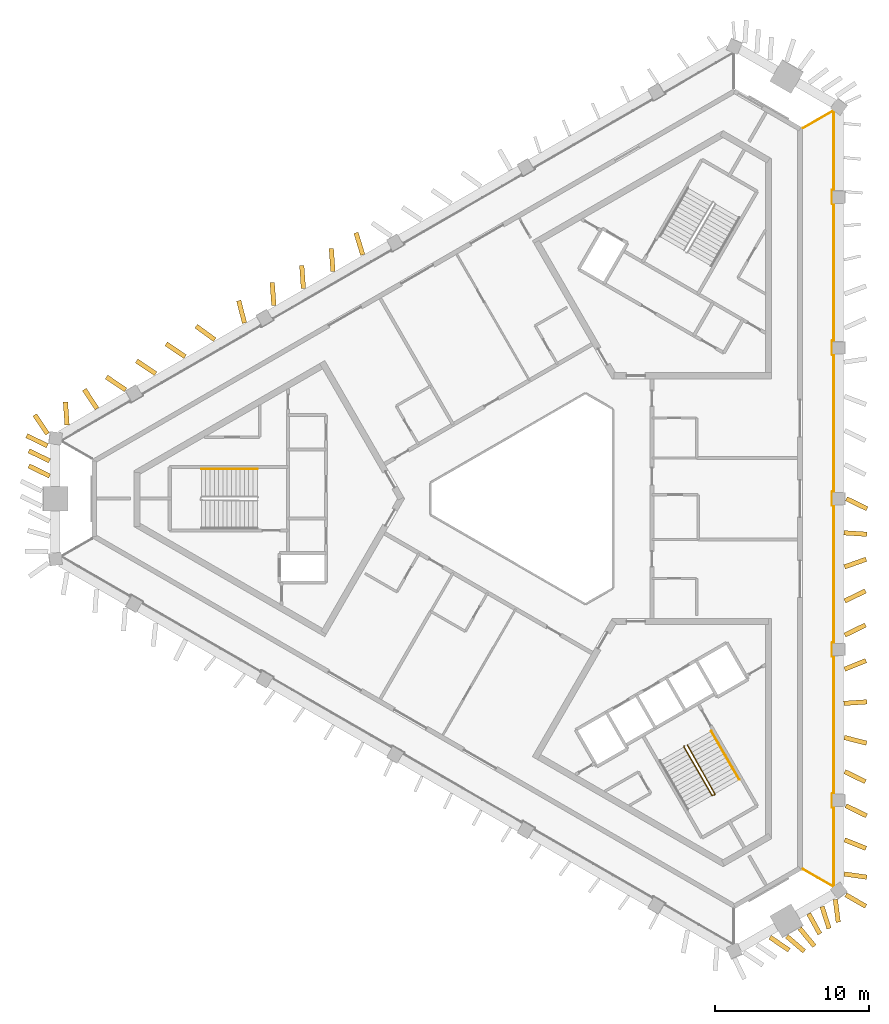
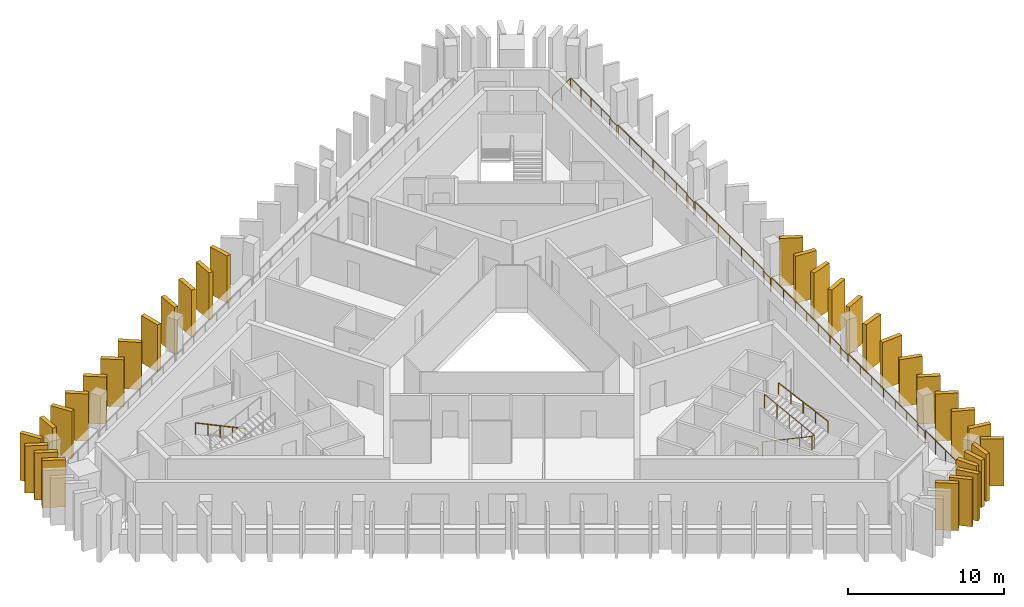
# One storey, part 8 of 10: 34 shading devices, 4 railings.
"""IFC4 building model written with IfcOpenShell, lengths in metres."""

from ifc_helpers import new_model, si_unit, direction, frame, frame_2d, origin, origin_2d, place, context, subcontext, project, spatial, rectangle, circle, extrude, material, layer, layer_set, type_object, element, save


model = new_model("IFC4")

# Units and contexts
model_context = context("Model", 3, precision=1e-05, world=origin(), true_north=direction((0.0, 1.0)))
body_context = subcontext(model_context, "Body", "Model", "MODEL_VIEW")
ifc_project = project(units=[si_unit("LENGTHUNIT", "METRE"), si_unit("AREAUNIT", "SQUARE_METRE"), si_unit("VOLUMEUNIT", "CUBIC_METRE"), si_unit("PLANEANGLEUNIT", "RADIAN"), si_unit("MASSUNIT", "GRAM", prefix="KILO")], contexts=[model_context])

# Site, building, storey
site_placement = place(None, origin())
site = spatial("IfcSite", under=ifc_project, at=site_placement, CompositionType="ELEMENT")
building_placement = place(site_placement, origin())
building = spatial("IfcBuilding", under=site, at=building_placement, Name="Jabali Bay Hotel Tower and Convention Centre", CompositionType="ELEMENT")
storey_placement = place(building_placement, frame((0.0, 0.0, 266.39990234375)))
storey = spatial("IfcBuildingStorey", under=building, at=storey_placement, Name="L65", CompositionType="ELEMENT", Elevation=266.39990234375)

# Railing
ifc_material_1 = material(Name="Glass", Category="glass")
railing_type_1 = type_object("IfcRailingType", Name="Loggia glass guard 1100", PredefinedType="BALUSTRADE", material=ifc_material_1)
railing_1_placement = place(storey_placement, frame((91.92724609375, 104.109619140625, 0.0)))
element("IfcRailing", 1, at=railing_1_placement, inside=storey, type_object=railing_type_1, Name="Loggia glass guard L65", PredefinedType="BALUSTRADE", context=body_context, shape_type="SweptSolid", body=[
    extrude(circle(Radius=0.02490234375, at=origin_2d()), frame((0.0, 0.0, 1.0751953125), z_axis=(0.866035472144, 0.499982560684, 0.0), x_axis=(-0.495705140567, 0.858626418625, 0.13052619222)), (0.0, 0.0, 1.0), 2.27490234375),
    extrude(circle(Radius=0.02490234375, at=origin_2d()), frame((1.97021484375, 1.137451171875, 1.0751953125), z_axis=(0.798426583615, -0.602092177808, 0.0), x_axis=(0.596941195761, 0.791595933509, 0.13052619222)), (0.0, 0.0, 1.0), 0.037353515625),
    extrude(circle(Radius=0.02490234375, at=origin_2d()), frame((2.0, 1.114990234375, 1.0751953125), z_axis=(0.0, -1.0, 0.0), x_axis=(0.991444861374, 0.0, 0.13052619222)), (0.0, 0.0, 1.0), 5.13671875),
    extrude(circle(Radius=0.02490234375, at=origin_2d()), frame((2.0, -4.021728515625, 1.0751953125), z_axis=(-1.0, 0.0, 0.0), x_axis=(0.0, -0.991444861374, 0.13052619222)), (0.0, 0.0, 1.0), 0.099853515625),
    extrude(circle(Radius=0.02490234375, at=origin_2d()), frame((1.900146484375, -4.021728515625, 1.0751953125), z_axis=(0.0, -1.0, 0.0), x_axis=(0.991444861374, 0.0, 0.13052619222)), (0.0, 0.0, 1.0), 0.900146484375),
    extrude(circle(Radius=0.02490234375, at=origin_2d()), frame((1.900146484375, -4.921875, 1.0751953125), z_axis=(1.0, 0.0, 0.0), x_axis=(0.0, 0.991444861374, 0.13052619222)), (0.0, 0.0, 1.0), 0.099853515625),
    extrude(circle(Radius=0.02490234375, at=origin_2d()), frame((2.0, -4.921875, 1.0751953125), z_axis=(0.0, -1.0, 0.0), x_axis=(0.991444861374, 0.0, 0.13052619222)), (0.0, 0.0, 1.0), 8.9189453125),
    extrude(circle(Radius=0.02490234375, at=origin_2d()), frame((2.0, -13.8408203125, 1.0751953125), z_axis=(-1.0, 0.0, 0.0), x_axis=(0.0, -0.991444861374, 0.13052619222)), (0.0, 0.0, 1.0), 0.099853515625),
    extrude(circle(Radius=0.02490234375, at=origin_2d()), frame((1.900146484375, -13.8408203125, 1.0751953125), z_axis=(0.0, -1.0, 0.0), x_axis=(0.991444861374, 0.0, 0.13052619222)), (0.0, 0.0, 1.0), 0.89990234375),
    extrude(circle(Radius=0.02490234375, at=origin_2d()), frame((1.900146484375, -14.74072265625, 1.0751953125), z_axis=(1.0, 0.0, 0.0), x_axis=(0.0, 0.991444861374, 0.13052619222)), (0.0, 0.0, 1.0), 0.099853515625),
    extrude(circle(Radius=0.02490234375, at=origin_2d()), frame((2.0, -14.74072265625, 1.0751953125), z_axis=(0.0, -1.0, 0.0), x_axis=(0.991444861374, 0.0, 0.13052619222)), (0.0, 0.0, 1.0), 8.9189453125),
    extrude(circle(Radius=0.02490234375, at=origin_2d()), frame((2.0, -23.65966796875, 1.0751953125), z_axis=(-1.0, 0.0, 0.0), x_axis=(0.0, -0.991444861374, 0.13052619222)), (0.0, 0.0, 1.0), 0.099853515625),
    extrude(circle(Radius=0.02490234375, at=origin_2d()), frame((1.900146484375, -23.65966796875, 1.0751953125), z_axis=(0.0, -1.0, 0.0), x_axis=(0.991444861374, 0.0, 0.13052619222)), (0.0, 0.0, 1.0), 0.89990234375),
    extrude(circle(Radius=0.02490234375, at=origin_2d()), frame((1.900146484375, -24.5595703125, 1.0751953125), z_axis=(1.0, 0.0, 0.0), x_axis=(0.0, 0.991444861374, 0.13052619222)), (0.0, 0.0, 1.0), 0.099853515625),
    extrude(circle(Radius=0.02490234375, at=origin_2d()), frame((2.0, -24.5595703125, 1.0751953125), z_axis=(0.0, -1.0, 0.0), x_axis=(0.991444861374, 0.0, 0.13052619222)), (0.0, 0.0, 1.0), 8.9189453125),
    extrude(circle(Radius=0.02490234375, at=origin_2d()), frame((2.0, -33.478515625, 1.0751953125), z_axis=(-1.0, 0.0, 0.0), x_axis=(0.0, -0.991444861374, 0.13052619222)), (0.0, 0.0, 1.0), 0.099853515625),
    extrude(circle(Radius=0.02490234375, at=origin_2d()), frame((1.900146484375, -33.478515625, 1.0751953125), z_axis=(0.0, -1.0, 0.0), x_axis=(0.991444861374, 0.0, 0.13052619222)), (0.0, 0.0, 1.0), 0.89990234375),
    extrude(circle(Radius=0.02490234375, at=origin_2d()), frame((1.900146484375, -34.37841796875, 1.0751953125), z_axis=(1.0, 0.0, 0.0), x_axis=(0.0, 0.991444861374, 0.13052619222)), (0.0, 0.0, 1.0), 0.099853515625),
    extrude(circle(Radius=0.02490234375, at=origin_2d()), frame((2.0, -34.37841796875, 1.0751953125), z_axis=(0.0, -1.0, 0.0), x_axis=(0.991444861374, 0.0, 0.13052619222)), (0.0, 0.0, 1.0), 8.9189453125),
    extrude(circle(Radius=0.02490234375, at=origin_2d()), frame((2.0, -43.29736328125, 1.0751953125), z_axis=(-1.0, 0.0, 0.0), x_axis=(0.0, -0.991444861374, 0.13052619222)), (0.0, 0.0, 1.0), 0.099853515625),
    extrude(circle(Radius=0.02490234375, at=origin_2d()), frame((1.900146484375, -43.29736328125, 1.0751953125), z_axis=(0.0, -1.0, 0.0), x_axis=(0.991444861374, 0.0, 0.13052619222)), (0.0, 0.0, 1.0), 0.900146484375),
    extrude(circle(Radius=0.02490234375, at=origin_2d()), frame((1.900146484375, -44.197509765625, 1.0751953125), z_axis=(1.0, 0.0, 0.0), x_axis=(0.0, 0.991444861374, 0.13052619222)), (0.0, 0.0, 1.0), 0.099853515625),
    extrude(circle(Radius=0.02490234375, at=origin_2d()), frame((2.0, -44.197509765625, 1.0751953125), z_axis=(0.0, -1.0, 0.0), x_axis=(0.991444861374, 0.0, 0.13052619222)), (0.0, 0.0, 1.0), 5.13671875),
    extrude(circle(Radius=0.02490234375, at=origin_2d()), frame((2.0, -49.334228515625, 1.0751953125), z_axis=(-0.798426583615, -0.602092177808, 0.0), x_axis=(0.596941195761, -0.791595933509, 0.13052619222)), (0.0, 0.0, 1.0), 0.037353515625),
    extrude(circle(Radius=0.02490234375, at=origin_2d()), frame((1.97021484375, -49.356689453125, 1.0751953125), z_axis=(-0.866035472144, 0.499982560684, 0.0), x_axis=(-0.495705140567, -0.858626418625, 0.13052619222)), (0.0, 0.0, 1.0), 2.27490234375),
    extrude(circle(Radius=0.02001953125, at=origin_2d()), origin(), (0.0, 0.0, 1.0), 1.050048828125),
    extrude(circle(Radius=0.02001953125, at=origin_2d()), frame((0.985107421875, 0.56884765625, 0.0)), (0.0, 0.0, 1.0), 1.050048828125),
    extrude(circle(Radius=0.02001953125, at=origin_2d()), frame((1.97021484375, 1.137451171875, 0.0)), (0.0, 0.0, 1.0), 1.050048828125),
    extrude(circle(Radius=0.02001953125, at=origin_2d()), frame((2.0, 1.114990234375, 0.0)), (0.0, 0.0, 1.0), 1.050048828125),
    extrude(circle(Radius=0.02001953125, at=origin_2d()), frame((2.0, -0.169189453125, 0.0)), (0.0, 0.0, 1.0), 1.050048828125),
    extrude(circle(Radius=0.02001953125, at=origin_2d()), frame((2.0, -1.453369140625, 0.0)), (0.0, 0.0, 1.0), 1.050048828125),
    extrude(circle(Radius=0.02001953125, at=origin_2d()), frame((2.0, -2.737548828125, 0.0)), (0.0, 0.0, 1.0), 1.050048828125),
    extrude(circle(Radius=0.02001953125, at=origin_2d()), frame((2.0, -4.021728515625, 0.0)), (0.0, 0.0, 1.0), 1.050048828125),
    extrude(circle(Radius=0.02001953125, at=origin_2d()), frame((1.900146484375, -4.021728515625, 0.0)), (0.0, 0.0, 1.0), 1.050048828125),
    extrude(circle(Radius=0.02001953125, at=origin_2d()), frame((1.900146484375, -4.921875, 0.0)), (0.0, 0.0, 1.0), 1.050048828125),
    extrude(circle(Radius=0.02001953125, at=origin_2d()), frame((2.0, -4.921875, 0.0)), (0.0, 0.0, 1.0), 1.050048828125),
    extrude(circle(Radius=0.02001953125, at=origin_2d()), frame((2.0, -6.408447265625, 0.0)), (0.0, 0.0, 1.0), 1.050048828125),
    extrude(circle(Radius=0.02001953125, at=origin_2d()), frame((2.0, -7.894775390625, 0.0)), (0.0, 0.0, 1.0), 1.050048828125),
    extrude(circle(Radius=0.02001953125, at=origin_2d()), frame((2.0, -9.38134765625, 0.0)), (0.0, 0.0, 1.0), 1.050048828125),
    extrude(circle(Radius=0.02001953125, at=origin_2d()), frame((2.0, -10.867919921875, 0.0)), (0.0, 0.0, 1.0), 1.050048828125),
    extrude(circle(Radius=0.02001953125, at=origin_2d()), frame((2.0, -12.354248046875, 0.0)), (0.0, 0.0, 1.0), 1.050048828125),
    extrude(circle(Radius=0.02001953125, at=origin_2d()), frame((2.0, -13.8408203125, 0.0)), (0.0, 0.0, 1.0), 1.050048828125),
    extrude(circle(Radius=0.02001953125, at=origin_2d()), frame((1.900146484375, -13.8408203125, 0.0)), (0.0, 0.0, 1.0), 1.050048828125),
    extrude(circle(Radius=0.02001953125, at=origin_2d()), frame((1.900146484375, -14.74072265625, 0.0)), (0.0, 0.0, 1.0), 1.050048828125),
    extrude(circle(Radius=0.02001953125, at=origin_2d()), frame((2.0, -14.74072265625, 0.0)), (0.0, 0.0, 1.0), 1.050048828125),
    extrude(circle(Radius=0.02001953125, at=origin_2d()), frame((2.0, -16.227294921875, 0.0)), (0.0, 0.0, 1.0), 1.050048828125),
    extrude(circle(Radius=0.02001953125, at=origin_2d()), frame((2.0, -17.713623046875, 0.0)), (0.0, 0.0, 1.0), 1.050048828125),
    extrude(circle(Radius=0.02001953125, at=origin_2d()), frame((2.0, -19.2001953125, 0.0)), (0.0, 0.0, 1.0), 1.050048828125),
    extrude(circle(Radius=0.02001953125, at=origin_2d()), frame((2.0, -20.686767578125, 0.0)), (0.0, 0.0, 1.0), 1.050048828125),
    extrude(circle(Radius=0.02001953125, at=origin_2d()), frame((2.0, -22.173095703125, 0.0)), (0.0, 0.0, 1.0), 1.050048828125),
    extrude(circle(Radius=0.02001953125, at=origin_2d()), frame((2.0, -23.65966796875, 0.0)), (0.0, 0.0, 1.0), 1.050048828125),
    extrude(circle(Radius=0.02001953125, at=origin_2d()), frame((1.900146484375, -23.65966796875, 0.0)), (0.0, 0.0, 1.0), 1.050048828125),
    extrude(circle(Radius=0.02001953125, at=origin_2d()), frame((1.900146484375, -24.5595703125, 0.0)), (0.0, 0.0, 1.0), 1.050048828125),
    extrude(circle(Radius=0.02001953125, at=origin_2d()), frame((2.0, -24.5595703125, 0.0)), (0.0, 0.0, 1.0), 1.050048828125),
    extrude(circle(Radius=0.02001953125, at=origin_2d()), frame((2.0, -26.046142578125, 0.0)), (0.0, 0.0, 1.0), 1.050048828125),
    extrude(circle(Radius=0.02001953125, at=origin_2d()), frame((2.0, -27.532470703125, 0.0)), (0.0, 0.0, 1.0), 1.050048828125),
    extrude(circle(Radius=0.02001953125, at=origin_2d()), frame((2.0, -29.01904296875, 0.0)), (0.0, 0.0, 1.0), 1.050048828125),
    extrude(circle(Radius=0.02001953125, at=origin_2d()), frame((2.0, -30.505615234375, 0.0)), (0.0, 0.0, 1.0), 1.050048828125),
    extrude(circle(Radius=0.02001953125, at=origin_2d()), frame((2.0, -31.991943359375, 0.0)), (0.0, 0.0, 1.0), 1.050048828125),
    extrude(circle(Radius=0.02001953125, at=origin_2d()), frame((2.0, -33.478515625, 0.0)), (0.0, 0.0, 1.0), 1.050048828125),
    extrude(circle(Radius=0.02001953125, at=origin_2d()), frame((1.900146484375, -33.478515625, 0.0)), (0.0, 0.0, 1.0), 1.050048828125),
    extrude(circle(Radius=0.02001953125, at=origin_2d()), frame((1.900146484375, -34.37841796875, 0.0)), (0.0, 0.0, 1.0), 1.050048828125),
    extrude(circle(Radius=0.02001953125, at=origin_2d()), frame((2.0, -34.37841796875, 0.0)), (0.0, 0.0, 1.0), 1.050048828125),
    extrude(circle(Radius=0.02001953125, at=origin_2d()), frame((2.0, -35.864990234375, 0.0)), (0.0, 0.0, 1.0), 1.050048828125),
    extrude(circle(Radius=0.02001953125, at=origin_2d()), frame((2.0, -37.351318359375, 0.0)), (0.0, 0.0, 1.0), 1.050048828125),
    extrude(circle(Radius=0.02001953125, at=origin_2d()), frame((2.0, -38.837890625, 0.0)), (0.0, 0.0, 1.0), 1.050048828125),
    extrude(circle(Radius=0.02001953125, at=origin_2d()), frame((2.0, -40.324462890625, 0.0)), (0.0, 0.0, 1.0), 1.050048828125),
    extrude(circle(Radius=0.02001953125, at=origin_2d()), frame((2.0, -41.810791015625, 0.0)), (0.0, 0.0, 1.0), 1.050048828125),
    extrude(circle(Radius=0.02001953125, at=origin_2d()), frame((2.0, -43.29736328125, 0.0)), (0.0, 0.0, 1.0), 1.050048828125),
    extrude(circle(Radius=0.02001953125, at=origin_2d()), frame((1.900146484375, -43.29736328125, 0.0)), (0.0, 0.0, 1.0), 1.050048828125),
    extrude(circle(Radius=0.02001953125, at=origin_2d()), frame((1.900146484375, -44.197509765625, 0.0)), (0.0, 0.0, 1.0), 1.050048828125),
    extrude(circle(Radius=0.02001953125, at=origin_2d()), frame((2.0, -44.197509765625, 0.0)), (0.0, 0.0, 1.0), 1.050048828125),
    extrude(circle(Radius=0.02001953125, at=origin_2d()), frame((2.0, -45.481689453125, 0.0)), (0.0, 0.0, 1.0), 1.050048828125),
    extrude(circle(Radius=0.02001953125, at=origin_2d()), frame((2.0, -46.765869140625, 0.0)), (0.0, 0.0, 1.0), 1.050048828125),
    extrude(circle(Radius=0.02001953125, at=origin_2d()), frame((2.0, -48.050048828125, 0.0)), (0.0, 0.0, 1.0), 1.050048828125),
    extrude(circle(Radius=0.02001953125, at=origin_2d()), frame((2.0, -49.334228515625, 0.0)), (0.0, 0.0, 1.0), 1.050048828125),
    extrude(circle(Radius=0.02001953125, at=origin_2d()), frame((1.97021484375, -49.356689453125, 0.0)), (0.0, 0.0, 1.0), 1.050048828125),
    extrude(circle(Radius=0.02001953125, at=origin_2d()), frame((0.985107421875, -48.7880859375, 0.0)), (0.0, 0.0, 1.0), 1.050048828125),
    extrude(circle(Radius=0.02001953125, at=origin_2d()), frame((0.0, -48.21923828125, 0.0)), (0.0, 0.0, 1.0), 1.050048828125),
])

# Shading devices
ifc_material_2 = material(Name="Precast concrete C60", Category="concrete")
ifc_layer = layer(ifc_material_2, 0.300048828125)
ifc_layer_set = layer_set([ifc_layer], Name="Precast concrete C60")
shading_device_type = type_object("IfcShadingDeviceType", Name="Precast fin 3680 x 1500", PredefinedType="USERDEFINED", material=ifc_layer_set)
for number, where, z_axis, x_axis, name in (
    (2, (94.5908203125, 55.58544921875, 0.010009765625), (0.0, 0.0, 1.0), (0.990085751746, -0.140464245234, 0.0), "Fin L65 000"),
    (3, (94.62548828125, 57.804931640625, 0.010009765625), (0.0, 0.0, 1.0), (0.928588901961, -0.371110025674, 0.0), "Fin L65 001"),
    (4, (94.70751953125, 60.024658203125, 0.010009765625), (0.0, 0.0, 1.0), (0.899129499022, -0.43768269784, 0.0), "Fin L65 002"),
    (5, (94.635498046875, 62.244140625, 0.010009765625), (0.0, 0.0, 1.0), (0.899129499022, -0.43768269784, 0.0), "Fin L65 003"),
    (6, (94.606689453125, 64.463623046875, 0.010009765625), (0.0, 0.0, 1.0), (0.969167872367, -0.246401370069, 0.0), "Fin L65 004"),
    (7, (94.57958984375, 66.68310546875, 0.010009765625), (0.0, 0.0, 1.0), (0.997846658437, 0.065589985867, 0.0), "Fin L65 005"),
    (8, (94.6259765625, 68.902587890625, 0.010009765625), (0.0, 0.0, 1.0), (0.927089608304, 0.374839776672, 0.0), "Fin L65 006"),
    (9, (94.635498046875, 71.1220703125, 0.010009765625), (0.0, 0.0, 1.0), (0.899129499022, 0.43768269784, 0.0), "Fin L65 007"),
    (10, (94.635498046875, 73.341552734375, 0.010009765625), (0.0, 0.0, 1.0), (0.899129499022, 0.43768269784, 0.0), "Fin L65 008"),
):
    element("IfcShadingDevice", number, at=place(storey_placement, frame(where, z_axis=z_axis, x_axis=x_axis)), inside=storey, type_object=shading_device_type, Name=name, ObjectType="FIN", PredefinedType="USERDEFINED", context=body_context, shape_type="SweptSolid", body=[
        extrude(rectangle(XDim=1.5, YDim=0.300048828125, at=frame_2d((0.75, 0.0))), origin(), (0.0, 0.0, 1.0), 3.68017578125),
    ])
for number, where, z_axis, x_axis, name in (
    (11, (94.61962890625, 75.56103515625, 0.010009765625), (0.0, 0.0, 1.0), (0.943311447036, 0.331908893961, 0.0), "Fin L65 009"),
    (12, (94.579345703125, 77.780517578125, 0.010009765625), (0.0, 0.0, 1.0), (0.997972603967, -0.063644966262, 0.0), "Fin L65 010"),
):
    element("IfcShadingDevice", number, at=place(storey_placement, frame(where, z_axis=z_axis, x_axis=x_axis)), inside=storey, type_object=shading_device_type, Name=name, ObjectType="FIN", PredefinedType="USERDEFINED", context=body_context, shape_type="SweptSolid", body=[
        extrude(rectangle(XDim=1.499755859375, YDim=0.300048828125, at=frame_2d((0.75, 0.0))), origin(), (0.0, 0.0, 1.0), 3.68017578125),
    ])
for number, where, z_axis, x_axis, name in (
    (13, (94.742919921875, 80.0, 0.010009765625), (0.0, 0.0, 1.0), (0.899129499022, -0.43768269784, 0.0), "Fin L65 011"),
    (14, (63.276123046875, 95.867431640625, 0.010009765625), (0.0, 0.0, 1.0), (-0.292301230974, 0.956326299111, 0.0), "Fin L65 043"),
    (15, (61.338134765625, 94.78515625, 0.010009765625), (0.0, 0.0, 1.0), (-0.070634034433, 0.997502297331, 0.0), "Fin L65 044"),
    (16, (59.415771484375, 93.675537109375, 0.010009765625), (0.0, 0.0, 1.0), (-0.070472092405, 0.99751375138, 0.0), "Fin L65 045"),
    (17, (57.49365234375, 92.565673828125, 0.010009765625), (0.0, 0.0, 1.0), (-0.070472092405, 0.99751375138, 0.0), "Fin L65 046"),
):
    element("IfcShadingDevice", number, at=place(storey_placement, frame(where, z_axis=z_axis, x_axis=x_axis)), inside=storey, type_object=shading_device_type, Name=name, ObjectType="FIN", PredefinedType="USERDEFINED", context=body_context, shape_type="SweptSolid", body=[
        extrude(rectangle(XDim=1.5, YDim=0.300048828125, at=frame_2d((0.75, 0.0))), origin(), (0.0, 0.0, 1.0), 3.68017578125),
    ])
shading_device_1_placement = place(storey_placement, frame((55.58447265625, 91.433837890625, 0.010009765625), z_axis=(0.0, 0.0, 1.0), x_axis=(-0.251334989835, 0.967900161631, 0.0)))
element("IfcShadingDevice", 18, at=shading_device_1_placement, inside=storey, type_object=shading_device_type, Name="Fin L65 047", ObjectType="FIN", PredefinedType="USERDEFINED", context=body_context, shape_type="SweptSolid", body=[
    extrude(rectangle(XDim=1.499755859375, YDim=0.300048828125, at=frame_2d((0.75, 0.0))), origin(), (0.0, 0.0, 1.0), 3.68017578125),
])
for number, where, z_axis, x_axis, name in (
    (19, (53.65185546875, 90.34228515625, 0.010009765625), (0.0, 0.0, 1.0), (-0.809066749701, 0.587716763865, 0.0), "Fin L65 048"),
    (20, (51.727294921875, 89.236572265625, 0.010009765625), (0.0, 0.0, 1.0), (-0.828654266351, 0.55976075859, 0.0), "Fin L65 049"),
    (21, (49.80517578125, 88.126708984375, 0.010009765625), (0.0, 0.0, 1.0), (-0.828578765843, 0.559872511196, 0.0), "Fin L65 050"),
):
    element("IfcShadingDevice", number, at=place(storey_placement, frame(where, z_axis=z_axis, x_axis=x_axis)), inside=storey, type_object=shading_device_type, Name=name, ObjectType="FIN", PredefinedType="USERDEFINED", context=body_context, shape_type="SweptSolid", body=[
        extrude(rectangle(XDim=1.5, YDim=0.300048828125, at=frame_2d((0.75, 0.0))), origin(), (0.0, 0.0, 1.0), 3.68017578125),
    ])
shading_device_2_placement = place(storey_placement, frame((47.846923828125, 87.079345703125, 0.010009765625), z_axis=(0.0, 0.0, 1.0), x_axis=(-0.828527739218, 0.559948020218, 0.0)))
element("IfcShadingDevice", 22, at=shading_device_2_placement, inside=storey, type_object=shading_device_type, Name="Fin L65 051", ObjectType="FIN", PredefinedType="USERDEFINED", context=body_context, shape_type="SweptSolid", body=[
    extrude(rectangle(XDim=1.499755859375, YDim=0.300048828125, at=frame_2d((0.75, 0.0))), origin(), (0.0, 0.0, 1.0), 3.68017578125),
])
shading_device_3_placement = place(storey_placement, frame((45.989013671875, 85.8583984375, 0.010009765625), z_axis=(0.0, 0.0, 1.0), x_axis=(-0.552670537612, 0.833399830127, 0.0)))
element("IfcShadingDevice", 23, at=shading_device_3_placement, inside=storey, type_object=shading_device_type, Name="Fin L65 052", ObjectType="FIN", PredefinedType="USERDEFINED", context=body_context, shape_type="SweptSolid", body=[
    extrude(rectangle(XDim=1.500244140625, YDim=0.300048828125, at=frame_2d((0.75, 0.0))), origin(), (0.0, 0.0, 1.0), 3.68017578125),
])
shading_device_4_placement = place(storey_placement, frame((44.038818359375, 84.797607421875, 0.010009765625), z_axis=(0.0, 0.0, 1.0), x_axis=(-0.070645503354, 0.99750148514, 0.0)))
element("IfcShadingDevice", 24, at=shading_device_4_placement, inside=storey, type_object=shading_device_type, Name="Fin L65 053", ObjectType="FIN", PredefinedType="USERDEFINED", context=body_context, shape_type="SweptSolid", body=[
    extrude(rectangle(XDim=1.499755859375, YDim=0.300048828125, at=frame_2d((0.75, 0.0))), origin(), (0.0, 0.0, 1.0), 3.68017578125),
])
for number, where, z_axis, x_axis, name in (
    (25, (42.763427734375, 83.44091796875, 0.010009765625), (0.0, 0.0, 1.0), (-0.899129499022, 0.43768269784, 0.0), "Fin L65 054"),
    (26, (42.904296875, 82.457763671875, 0.010009765625), (0.0, 0.0, 1.0), (-0.899129499022, 0.43768269784, 0.0), "Fin L65 055"),
    (27, (42.904296875, 81.474609375, 0.010009765625), (0.0, 0.0, 1.0), (-0.899129499022, 0.43768269784, 0.0), "Fin L65 056"),
    (28, (89.770751953125, 51.467041015625, 0.010009765625), (0.0, 0.0, 1.0), (0.828578765843, -0.559872511196, 0.0), "Fin L65 087"),
    (29, (90.8701171875, 51.52880859375, 0.010009765625), (0.0, 0.0, 1.0), (0.755984355904, -0.654589683411, 0.0), "Fin L65 088"),
    (30, (91.70947265625, 52.041259765625, 0.010009765625), (0.0, 0.0, 1.0), (0.637041266943, -0.77082969858, 0.0), "Fin L65 089"),
    (31, (92.293701171875, 52.995849609375, 0.010009765625), (0.0, 0.0, 1.0), (0.482599657467, -0.875841064699, 0.0), "Fin L65 090"),
    (32, (93.159423828125, 53.462646484375, 0.010009765625), (0.0, 0.0, 1.0), (0.305318964829, -0.952250140307, 0.0), "Fin L65 091"),
    (33, (94.02392578125, 53.931396484375, 0.010009765625), (0.0, 0.0, 1.0), (0.125977622087, -0.992033083487, 0.0), "Fin L65 092"),
    (34, (94.708251953125, 54.22705078125, 0.010009765625), (0.0, 0.0, 1.0), (0.866031096941, -0.499990139034, 0.0), "Fin L65 093"),
    (35, (42.774658203125, 84.2109375, 0.010009765625), (0.0, 0.0, 1.0), (-0.559872511196, 0.828578765843, 0.0), "Fin L65 096"),
):
    element("IfcShadingDevice", number, at=place(storey_placement, frame(where, z_axis=z_axis, x_axis=x_axis)), inside=storey, type_object=shading_device_type, Name=name, ObjectType="FIN", PredefinedType="USERDEFINED", context=body_context, shape_type="SweptSolid", body=[
        extrude(rectangle(XDim=1.5, YDim=0.300048828125, at=frame_2d((0.75, 0.0))), origin(), (0.0, 0.0, 1.0), 3.68017578125),
    ])

# Railings
ifc_material_3 = material(Name="Steel Q355B", Category="steel")
railing_type_2 = type_object("IfcRailingType", Name="Stair guard 1100", PredefinedType="GUARDRAIL", material=ifc_material_3)
railing_2_placement = place(storey_placement, frame((84.199951171875, 63.9150390625, 0.0)))
element("IfcRailing", 36, at=railing_2_placement, inside=storey, type_object=railing_type_2, Name="L65 ST3 stair guard 1", PredefinedType="GUARDRAIL", context=body_context, shape_type="SweptSolid", body=[
    extrude(circle(Radius=0.02392578125, at=origin_2d()), frame((0.0, 0.0, 1.076171875), z_axis=(-0.122021570157, -0.455547195254, 0.88180921367), x_axis=(0.965948051503, -0.258736085224, 0.0)), (0.0, 0.0, 1.0), 0.150146484375),
    extrude(circle(Radius=0.02392578125, at=origin_2d()), frame((-0.018310546875, -0.068359375, 1.20849609375), z_axis=(0.452190331055, -0.783190014029, 0.426775475427), x_axis=(0.866018046521, 0.500012742938, 0.0)), (0.0, 0.0, 1.0), 4.02490234375),
    extrude(circle(Radius=0.02392578125, at=origin_2d()), frame((1.8017578125, -3.220703125, 2.92626953125), z_axis=(0.96121063429, 0.275815366736, 0.0), x_axis=(-0.275815366736, 0.96121063429, 0.0)), (0.0, 0.0, 1.0), 0.206298828125),
    extrude(circle(Radius=0.02392578125, at=origin_2d()), frame((2.0, -3.163818359375, 2.92626953125), z_axis=(-0.436470229993, 0.780146179382, 0.448180406895), x_axis=(-0.872702246529, -0.488252792008, 0.0)), (0.0, 0.0, 1.0), 4.1279296875),
    extrude(circle(Radius=0.02099609375, at=origin_2d()), origin(), (0.0, 0.0, 1.0), 1.052001953125),
    extrude(circle(Radius=0.02099609375, at=origin_2d()), frame((-0.018310546875, -0.068359375, 0.13232421875)), (0.0, 0.0, 1.0), 1.052001953125),
    extrude(circle(Radius=0.02099609375, at=origin_2d()), frame((0.436767578125, -0.8564453125, 0.561767578125)), (0.0, 0.0, 1.0), 1.052001953125),
    extrude(circle(Radius=0.02099609375, at=origin_2d()), frame((0.8916015625, -1.64453125, 0.9912109375)), (0.0, 0.0, 1.0), 1.052001953125),
    extrude(circle(Radius=0.02099609375, at=origin_2d()), frame((1.3466796875, -2.4326171875, 1.420654296875)), (0.0, 0.0, 1.0), 1.052001953125),
    extrude(circle(Radius=0.02099609375, at=origin_2d()), frame((1.8017578125, -3.220703125, 1.85009765625)), (0.0, 0.0, 1.0), 1.052001953125),
    extrude(circle(Radius=0.02099609375, at=origin_2d()), frame((2.0, -3.163818359375, 1.85009765625)), (0.0, 0.0, 1.0), 1.052001953125),
    extrude(circle(Radius=0.02099609375, at=origin_2d()), frame((1.549560546875, -2.358642578125, 2.3125)), (0.0, 0.0, 1.0), 1.052001953125),
    extrude(circle(Radius=0.02099609375, at=origin_2d()), frame((1.09912109375, -1.5537109375, 2.775146484375)), (0.0, 0.0, 1.0), 1.052001953125),
    extrude(circle(Radius=0.02099609375, at=origin_2d()), frame((0.648681640625, -0.74853515625, 3.23779296875)), (0.0, 0.0, 1.0), 1.052001953125),
    extrude(circle(Radius=0.02099609375, at=origin_2d()), frame((0.1982421875, 0.056640625, 3.7001953125)), (0.0, 0.0, 1.0), 1.052001953125),
])
railing_type_3 = type_object("IfcRailingType", Name="Stair handrail 900", PredefinedType="HANDRAIL", material=ifc_material_3)
railing_3_placement = place(storey_placement, frame((56.419921875, 81.925048828125, 0.13232421875)))
element("IfcRailing", 37, at=railing_3_placement, inside=storey, type_object=railing_type_3, Name="L65 ST1 stair handrail 1", PredefinedType="HANDRAIL", context=body_context, shape_type="SweptSolid", body=[
    extrude(circle(Radius=0.02392578125, at=origin_2d()), frame((0.0, 0.0, 0.8759765625), z_axis=(-0.904350763662, 0.0, 0.426789990819), x_axis=(0.0, -1.0, 0.0)), (0.0, 0.0, 1.0), 4.02490234375),
    extrude(circle(Radius=0.02099609375, at=origin_2d()), origin(), (0.0, 0.0, 1.0), 0.851806640625),
    extrude(circle(Radius=0.02099609375, at=origin_2d()), frame((-0.909912109375, 0.0, 0.429443359375)), (0.0, 0.0, 1.0), 0.851806640625),
    extrude(circle(Radius=0.02099609375, at=origin_2d()), frame((-1.81982421875, 0.0, 0.85888671875)), (0.0, 0.0, 1.0), 0.851806640625),
    extrude(circle(Radius=0.02099609375, at=origin_2d()), frame((-2.72998046875, 0.0, 1.288330078125)), (0.0, 0.0, 1.0), 0.851806640625),
    extrude(circle(Radius=0.02099609375, at=origin_2d()), frame((-3.639892578125, 0.0, 1.7177734375)), (0.0, 0.0, 1.0), 0.851806640625),
])
railing_4_placement = place(storey_placement, frame((87.777099609375, 61.719482421875, 1.982177734375)))
element("IfcRailing", 38, at=railing_4_placement, inside=storey, type_object=railing_type_3, Name="L65 ST3 stair handrail 2", PredefinedType="HANDRAIL", context=body_context, shape_type="SweptSolid", body=[
    extrude(circle(Radius=0.02392578125, at=origin_2d()), frame((0.0, 0.0, 0.8759765625), z_axis=(-0.45217862506, 0.783169739339, 0.426825081763), x_axis=(-0.866018046521, -0.500012742938, 0.0)), (0.0, 0.0, 1.0), 4.025146484375),
    extrude(circle(Radius=0.02099609375, at=origin_2d()), origin(), (0.0, 0.0, 1.0), 0.851806640625),
    extrude(circle(Radius=0.02099609375, at=origin_2d()), frame((-0.455078125, 0.7880859375, 0.429443359375)), (0.0, 0.0, 1.0), 0.851806640625),
    extrude(circle(Radius=0.02099609375, at=origin_2d()), frame((-0.91015625, 1.576171875, 0.85888671875)), (0.0, 0.0, 1.0), 0.851806640625),
    extrude(circle(Radius=0.02099609375, at=origin_2d()), frame((-1.364990234375, 2.3642578125, 1.28857421875)), (0.0, 0.0, 1.0), 0.851806640625),
    extrude(circle(Radius=0.02099609375, at=origin_2d()), frame((-1.820068359375, 3.15234375, 1.718017578125)), (0.0, 0.0, 1.0), 0.851806640625),
])

save(model, "model.ifc")
